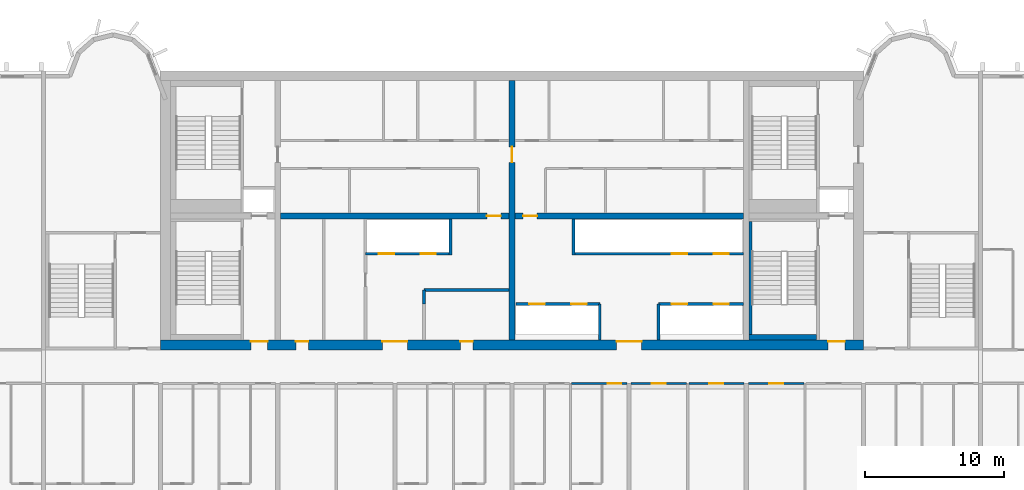
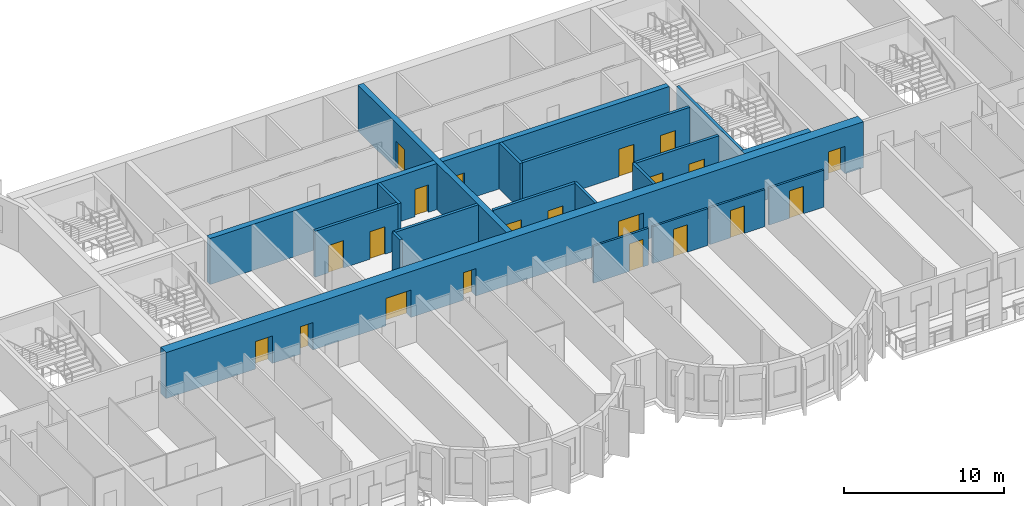
# One storey, part 6 of 13: 21 doors, 20 walls, 21 openings.
"""IFC4 building model written with IfcOpenShell, lengths in metres."""

from ifc_helpers import new_model, si_unit, direction, frame, frame_2d, origin, place, context, subcontext, project, spatial, rectangle, extrude, source, transform, mapped, material, layer, layer_set, type_object, element, fill, save


model = new_model("IFC4")

# Units and contexts
model_context = context("Model", 3, precision=1e-05, world=origin(), true_north=direction((0.0, 1.0)))
body_context = subcontext(model_context, "Body", "Model", "MODEL_VIEW")
ifc_project = project(units=[si_unit("LENGTHUNIT", "METRE"), si_unit("AREAUNIT", "SQUARE_METRE"), si_unit("VOLUMEUNIT", "CUBIC_METRE"), si_unit("PLANEANGLEUNIT", "RADIAN"), si_unit("MASSUNIT", "GRAM", prefix="KILO")], contexts=[model_context])

# Site, building, storey
site_placement = place(None, origin())
site = spatial("IfcSite", under=ifc_project, at=site_placement, CompositionType="ELEMENT")
building_placement = place(site_placement, origin())
building = spatial("IfcBuilding", under=site, at=building_placement, Name="Vanashikhar Sky Hotel", CompositionType="ELEMENT")
storey_placement = place(building_placement, frame((0.0, 0.0, 166.800048828125)))
storey = spatial("IfcBuildingStorey", under=building, at=storey_placement, Name="L40", CompositionType="ELEMENT", Elevation=166.800048828125)

# Wall, opening, door
ifc_material_1 = material(Name="Concrete M60", Category="concrete")
ifc_layer_1 = layer(ifc_material_1, 0.39990234375)
ifc_layer_set_1 = layer_set([ifc_layer_1], Name="RC core inner wall 400 Concrete M60")
wall_type_1 = type_object("IfcWallType", Name="RC core inner wall 400 Concrete M60", PredefinedType="SHEAR", material=ifc_layer_set_1)
shared_shape_1 = source(origin(), body_context, "Body", "SweptSolid", [
    extrude(rectangle(XDim=18.60009765625, YDim=0.39990234375, at=frame_2d((9.300048828125, 0.0))), origin(), (0.0, 0.0, 1.0), 3.52001953125),
])
wall_1_placement = place(storey_placement, frame((50.39990234375, 22.699951171875, 0.0), z_axis=(0.0, 0.0, 1.0), x_axis=(0.0, 1.0, 0.0)))
wall_1 = element("IfcWall", 1, at=wall_1_placement, inside=storey, type_object=wall_type_1, Name="KW-L40-KX2", PredefinedType="SHEAR", context=body_context, shape_type="MappedRepresentation", body=[
    mapped(shared_shape_1, transform((0.0, 0.0, 0.0), scale=1.0)),
])
shared_shape_2 = source(origin(), body_context, "Body", "SweptSolid", [
    extrude(rectangle(XDim=1.10009765625, YDim=2.10009765625, at=frame_2d((0.550048828125, 1.050048828125))), frame((0.0, 0.2099609375, 0.0), z_axis=(0.0, -1.0, 0.0), x_axis=(1.0, 0.0, 0.0)), (0.0, 0.0, 1.0), 0.419921875),
])
opening_1_placement = place(wall_1_placement, frame((12.75, 0.0, 0.0)))
opening_1 = element("IfcOpeningElement", 2, at=opening_1_placement, cuts=wall_1, Name="Opening DC-4-C", PredefinedType="OPENING", context=body_context, shape_type="MappedRepresentation", body=[
    mapped(shared_shape_2, transform((0.0, 0.0, 0.0), scale=1.0)),
])
ifc_material_2 = material(Name="Steel", Category="steel")
door_type_1 = type_object("IfcDoorType", Name="Service door 1100 FD60", OperationType="NOTDEFINED", PredefinedType="DOOR", material=ifc_material_2)
shared_shape_3 = source(origin(), body_context, "Body", "SweptSolid", [
    extrude(rectangle(XDim=1.10009765625, YDim=2.10009765625, at=frame_2d((0.550048828125, 1.050048828125))), frame((0.0, 0.02490234375, 0.0), z_axis=(0.0, -1.0, 0.0), x_axis=(1.0, 0.0, 0.0)), (0.0, 0.0, 1.0), 0.050048828125),
])
door_1_placement = place(opening_1_placement, origin())
door_1 = element("IfcDoor", 3, at=door_1_placement, inside=storey, type_object=door_type_1, Name="Service door 1100 FD60", OperationType="SINGLE_SWING_LEFT", OverallHeight=2.10009765625, OverallWidth=1.10009765625, PredefinedType="DOOR", context=body_context, shape_type="MappedRepresentation", body=[
    mapped(shared_shape_3, transform((0.0, 0.0, 0.0), scale=1.0)),
])
fill(opening_1, door_1)

# Wall, openings, doors
ifc_layer_2 = layer(ifc_material_1, 0.699951171875)
ifc_layer_set_2 = layer_set([ifc_layer_2], Name="RC core shell wall 700 Concrete M60")
wall_type_2 = type_object("IfcWallType", Name="RC core shell wall 700 Concrete M60", PredefinedType="SHEAR", material=ifc_layer_set_2)
shared_shape_4 = source(origin(), body_context, "Body", "SweptSolid", [
    extrude(rectangle(XDim=50.400146484375, YDim=0.699951171875, at=frame_2d((25.2001953125, 0.0))), origin(), (0.0, 0.0, 1.0), 3.52001953125),
])
wall_2_placement = place(storey_placement, frame((25.199951171875, 22.35009765625, 0.0), z_axis=(0.0, 0.0, 1.0), x_axis=(1.0, 0.0, 0.0)))
wall_2 = element("IfcWall", 4, at=wall_2_placement, inside=storey, type_object=wall_type_2, Name="KW-L40-KS", PredefinedType="SHEAR", context=body_context, shape_type="MappedRepresentation", body=[
    mapped(shared_shape_4, transform((0.0, 0.0, 0.0), scale=1.0)),
])
shared_shape_5 = source(origin(), body_context, "Body", "SweptSolid", [
    extrude(rectangle(XDim=1.800048828125, YDim=2.10009765625, at=frame_2d((0.89990234375, 1.050048828125))), frame((0.0, 0.35986328125, 0.0), z_axis=(0.0, -1.0, 0.0), x_axis=(1.0, 0.0, 0.0)), (0.0, 0.0, 1.0), 0.719970703125),
])
opening_2_placement = place(wall_2_placement, frame((15.89990234375, 0.0, 0.0)))
opening_2 = element("IfcOpeningElement", 5, at=opening_2_placement, cuts=wall_2, Name="Opening DC-3-A", PredefinedType="OPENING", context=body_context, shape_type="MappedRepresentation", body=[
    mapped(shared_shape_5, transform((0.0, 0.0, 0.0), scale=1.0)),
])
shared_shape_6 = source(origin(), body_context, "Body", "SweptSolid", [
    extrude(rectangle(XDim=0.89990234375, YDim=2.10009765625, at=frame_2d((0.449951171875, 1.050048828125))), frame((0.0, 0.35986328125, 0.0), z_axis=(0.0, -1.0, 0.0), x_axis=(1.0, 0.0, 0.0)), (0.0, 0.0, 1.0), 0.719970703125),
])
opening_3_placement = place(wall_2_placement, frame((9.699951171875, 0.0, 0.0)))
opening_3 = element("IfcOpeningElement", 6, at=opening_3_placement, cuts=wall_2, Name="Opening DC-4-A", PredefinedType="OPENING", context=body_context, shape_type="MappedRepresentation", body=[
    mapped(shared_shape_6, transform((0.0, 0.0, 0.0), scale=1.0)),
])
opening_4_placement = place(wall_2_placement, frame((21.5, 0.0, 0.0)))
opening_4 = element("IfcOpeningElement", 7, at=opening_4_placement, cuts=wall_2, Name="Opening DC-4-A", PredefinedType="OPENING", context=body_context, shape_type="MappedRepresentation", body=[
    mapped(shared_shape_6, transform((0.0, 0.0, 0.0), scale=1.0)),
])
opening_5_placement = place(wall_2_placement, frame((32.699951171875, 0.0, 0.0)))
opening_5 = element("IfcOpeningElement", 8, at=opening_5_placement, cuts=wall_2, Name="Opening DC-3-A", PredefinedType="OPENING", context=body_context, shape_type="MappedRepresentation", body=[
    mapped(shared_shape_5, transform((0.0, 0.0, 0.0), scale=1.0)),
])
shared_shape_7 = source(origin(), body_context, "Body", "SweptSolid", [
    extrude(rectangle(XDim=1.199951171875, YDim=2.10009765625, at=frame_2d((0.60009765625, 1.050048828125))), frame((0.0, 0.35986328125, 0.0), z_axis=(0.0, -1.0, 0.0), x_axis=(1.0, 0.0, 0.0)), (0.0, 0.0, 1.0), 0.719970703125),
])
opening_6_placement = place(wall_2_placement, frame((6.47509765625, 0.0, 0.0)))
opening_6 = element("IfcOpeningElement", 9, at=opening_6_placement, cuts=wall_2, Name="Opening DC-2", PredefinedType="OPENING", context=body_context, shape_type="MappedRepresentation", body=[
    mapped(shared_shape_7, transform((0.0, 0.0, 0.0), scale=1.0)),
])
opening_7_placement = place(wall_2_placement, frame((47.875, 0.0, 0.0)))
opening_7 = element("IfcOpeningElement", 10, at=opening_7_placement, cuts=wall_2, Name="Opening DC-2", PredefinedType="OPENING", context=body_context, shape_type="MappedRepresentation", body=[
    mapped(shared_shape_7, transform((0.0, 0.0, 0.0), scale=1.0)),
])
ifc_material_3 = material(Name="Glass", Category="glass")
door_type_2 = type_object("IfcDoorType", Name="Lift lobby entrance door 1800 FD30S", OperationType="NOTDEFINED", PredefinedType="DOOR", material=ifc_material_3)
shared_shape_8 = source(origin(), body_context, "Body", "SweptSolid", [
    extrude(rectangle(XDim=1.800048828125, YDim=2.10009765625, at=frame_2d((0.89990234375, 1.050048828125))), frame((0.0, 0.27490234375, 0.0), z_axis=(0.0, -1.0, 0.0), x_axis=(1.0, 0.0, 0.0)), (0.0, 0.0, 1.0), 0.050048828125),
])
door_2_placement = place(opening_2_placement, origin())
door_2 = element("IfcDoor", 11, at=door_2_placement, inside=storey, type_object=door_type_2, Name="Lift lobby entrance door 1800 FD30S", OperationType="DOUBLE_DOOR_SINGLE_SWING", OverallHeight=2.10009765625, OverallWidth=1.800048828125, PredefinedType="DOOR", context=body_context, shape_type="MappedRepresentation", body=[
    mapped(shared_shape_8, transform((0.0, 0.0, 0.0), scale=1.0)),
])
fill(opening_2, door_2)
door_3_placement = place(opening_5_placement, origin())
door_3 = element("IfcDoor", 12, at=door_3_placement, inside=storey, type_object=door_type_2, Name="Lift lobby entrance door 1800 FD30S", OperationType="DOUBLE_DOOR_SINGLE_SWING", OverallHeight=2.10009765625, OverallWidth=1.800048828125, PredefinedType="DOOR", context=body_context, shape_type="MappedRepresentation", body=[
    mapped(shared_shape_8, transform((0.0, 0.0, 0.0), scale=1.0)),
])
fill(opening_5, door_3)
door_type_3 = type_object("IfcDoorType", Name="Firefighting lobby door 1200 FD120", OperationType="NOTDEFINED", PredefinedType="DOOR", material=ifc_material_2)
shared_shape_9 = source(origin(), body_context, "Body", "SweptSolid", [
    extrude(rectangle(XDim=1.199951171875, YDim=2.10009765625, at=frame_2d((0.60009765625, 1.050048828125))), frame((0.0, 0.27490234375, 0.0), z_axis=(0.0, -1.0, 0.0), x_axis=(1.0, 0.0, 0.0)), (0.0, 0.0, 1.0), 0.050048828125),
])
door_4_placement = place(opening_6_placement, origin())
door_4 = element("IfcDoor", 13, at=door_4_placement, inside=storey, type_object=door_type_3, Name="Firefighting lobby door 1200 FD120", OperationType="SINGLE_SWING_LEFT", OverallHeight=2.10009765625, OverallWidth=1.199951171875, PredefinedType="DOOR", context=body_context, shape_type="MappedRepresentation", body=[
    mapped(shared_shape_9, transform((0.0, 0.0, 0.0), scale=1.0)),
])
fill(opening_6, door_4)
door_5_placement = place(opening_7_placement, origin())
door_5 = element("IfcDoor", 14, at=door_5_placement, inside=storey, type_object=door_type_3, Name="Firefighting lobby door 1200 FD120", OperationType="SINGLE_SWING_LEFT", OverallHeight=2.10009765625, OverallWidth=1.199951171875, PredefinedType="DOOR", context=body_context, shape_type="MappedRepresentation", body=[
    mapped(shared_shape_9, transform((0.0, 0.0, 0.0), scale=1.0)),
])
fill(opening_7, door_5)
door_type_4 = type_object("IfcDoorType", Name="Service door 900 FD60", OperationType="NOTDEFINED", PredefinedType="DOOR", material=ifc_material_2)
shared_shape_10 = source(origin(), body_context, "Body", "SweptSolid", [
    extrude(rectangle(XDim=0.89990234375, YDim=2.10009765625, at=frame_2d((0.449951171875, 1.050048828125))), frame((0.0, 0.27490234375, 0.0), z_axis=(0.0, -1.0, 0.0), x_axis=(1.0, 0.0, 0.0)), (0.0, 0.0, 1.0), 0.050048828125),
])
door_6_placement = place(opening_3_placement, origin())
door_6 = element("IfcDoor", 15, at=door_6_placement, inside=storey, type_object=door_type_4, Name="Service door 900 FD60", OperationType="SINGLE_SWING_LEFT", OverallHeight=2.10009765625, OverallWidth=0.89990234375, PredefinedType="DOOR", context=body_context, shape_type="MappedRepresentation", body=[
    mapped(shared_shape_10, transform((0.0, 0.0, 0.0), scale=1.0)),
])
fill(opening_3, door_6)
door_7_placement = place(opening_4_placement, origin())
door_7 = element("IfcDoor", 16, at=door_7_placement, inside=storey, type_object=door_type_4, Name="Service door 900 FD60", OperationType="SINGLE_SWING_LEFT", OverallHeight=2.10009765625, OverallWidth=0.89990234375, PredefinedType="DOOR", context=body_context, shape_type="MappedRepresentation", body=[
    mapped(shared_shape_10, transform((0.0, 0.0, 0.0), scale=1.0)),
])
fill(opening_4, door_7)

# Wall, opening, door
shared_shape_11 = source(origin(), body_context, "Body", "SweptSolid", [
    extrude(rectangle(XDim=16.39990234375, YDim=0.39990234375, at=frame_2d((8.199951171875, 0.0))), origin(), (0.0, 0.0, 1.0), 3.52001953125),
])
wall_3_placement = place(storey_placement, frame((33.800048828125, 31.60009765625, 0.0), z_axis=(0.0, 0.0, 1.0), x_axis=(1.0, 0.0, 0.0)))
wall_3 = element("IfcWall", 17, at=wall_3_placement, inside=storey, type_object=wall_type_1, Name="KW-L40-KY2", PredefinedType="SHEAR", context=body_context, shape_type="MappedRepresentation", body=[
    mapped(shared_shape_11, transform((0.0, 0.0, 0.0), scale=1.0)),
])
shared_shape_12 = source(origin(), body_context, "Body", "SweptSolid", [
    extrude(rectangle(XDim=1.0, YDim=2.10009765625, at=frame_2d((0.5, 1.050048828125))), frame((0.0, 0.2099609375, 0.0), z_axis=(0.0, -1.0, 0.0), x_axis=(1.0, 0.0, 0.0)), (0.0, 0.0, 1.0), 0.419921875),
])
opening_8_placement = place(wall_3_placement, frame((14.800048828125, 0.0, 0.0)))
opening_8 = element("IfcOpeningElement", 18, at=opening_8_placement, cuts=wall_3, Name="Opening DC-4", PredefinedType="OPENING", context=body_context, shape_type="MappedRepresentation", body=[
    mapped(shared_shape_12, transform((0.0, 0.0, 0.0), scale=1.0)),
])
door_type_5 = type_object("IfcDoorType", Name="Service door 1000 FD60", OperationType="NOTDEFINED", PredefinedType="DOOR", material=ifc_material_2)
shared_shape_13 = source(origin(), body_context, "Body", "SweptSolid", [
    extrude(rectangle(XDim=1.0, YDim=2.10009765625, at=frame_2d((0.5, 1.050048828125))), frame((0.0, 0.02490234375, 0.0), z_axis=(0.0, -1.0, 0.0), x_axis=(1.0, 0.0, 0.0)), (0.0, 0.0, 1.0), 0.050048828125),
])
door_8_placement = place(opening_8_placement, origin())
door_8 = element("IfcDoor", 19, at=door_8_placement, inside=storey, type_object=door_type_5, Name="Service door 1000 FD60", OperationType="SINGLE_SWING_LEFT", OverallHeight=2.10009765625, OverallWidth=1.0, PredefinedType="DOOR", context=body_context, shape_type="MappedRepresentation", body=[
    mapped(shared_shape_13, transform((0.0, 0.0, 0.0), scale=1.0)),
])
fill(opening_8, door_8)

wall_4_placement = place(storey_placement, frame((50.60009765625, 31.60009765625, 0.0), z_axis=(0.0, 0.0, 1.0), x_axis=(1.0, 0.0, 0.0)))
wall_4 = element("IfcWall", 20, at=wall_4_placement, inside=storey, type_object=wall_type_1, Name="KW-L40-KY3", PredefinedType="SHEAR", context=body_context, shape_type="MappedRepresentation", body=[
    mapped(shared_shape_11, transform((0.0, 0.0, 0.0), scale=1.0)),
])
opening_9_placement = place(wall_4_placement, frame((0.60009765625, 0.0, 0.0)))
opening_9 = element("IfcOpeningElement", 21, at=opening_9_placement, cuts=wall_4, Name="Opening DC-4", PredefinedType="OPENING", context=body_context, shape_type="MappedRepresentation", body=[
    mapped(shared_shape_12, transform((0.0, 0.0, 0.0), scale=1.0)),
])
door_9_placement = place(opening_9_placement, origin())
door_9 = element("IfcDoor", 22, at=door_9_placement, inside=storey, type_object=door_type_5, Name="Service door 1000 FD60", OperationType="SINGLE_SWING_RIGHT", OverallHeight=2.10009765625, OverallWidth=1.0, PredefinedType="DOOR", context=body_context, shape_type="MappedRepresentation", body=[
    mapped(shared_shape_13, transform((0.0, 0.0, 0.0), scale=1.0)),
])
fill(opening_9, door_9)

# Wall, openings, doors
ifc_material_4 = material(Name="Concrete M40", Category="concrete")
ifc_layer_3 = layer(ifc_material_4, 0.199951171875)
ifc_layer_set_3 = layer_set([ifc_layer_3], Name="Shaft wall 200")
wall_type_3 = type_object("IfcWallType", Name="Shaft wall 200", PredefinedType="SOLIDWALL", material=ifc_layer_set_3)
shared_shape_14 = source(origin(), body_context, "Body", "SweptSolid", [
    extrude(rectangle(XDim=6.0, YDim=0.199951171875, at=frame_2d((3.0, 0.0))), origin(), (0.0, 0.0, 1.0), 3.52001953125),
])
wall_5_placement = place(storey_placement, frame((39.89990234375, 28.89990234375, 0.0), z_axis=(0.0, 0.0, 1.0), x_axis=(1.0, 0.0, 0.0)))
wall_5 = element("IfcWall", 23, at=wall_5_placement, inside=storey, type_object=wall_type_3, Name="Shaft wall 200", PredefinedType="SOLIDWALL", context=body_context, shape_type="MappedRepresentation", body=[
    mapped(shared_shape_14, transform((0.0, 0.0, 0.0), scale=1.0)),
])
shared_shape_15 = source(origin(), body_context, "Body", "SweptSolid", [
    extrude(rectangle(XDim=1.10009765625, YDim=2.10009765625, at=frame_2d((0.550048828125, 1.050048828125))), frame((0.0, 0.10986328125, 0.0), z_axis=(0.0, -1.0, 0.0), x_axis=(1.0, 0.0, 0.0)), (0.0, 0.0, 1.0), 0.219970703125),
])
opening_10_placement = place(wall_5_placement, frame((0.949951171875, 0.0, 0.0)))
opening_10 = element("IfcOpeningElement", 24, at=opening_10_placement, cuts=wall_5, Name="Opening LD", PredefinedType="OPENING", context=body_context, shape_type="MappedRepresentation", body=[
    mapped(shared_shape_15, transform((0.0, 0.0, 0.0), scale=1.0)),
])
opening_11_placement = place(wall_5_placement, frame((3.949951171875, 0.0, 0.0)))
opening_11 = element("IfcOpeningElement", 25, at=opening_11_placement, cuts=wall_5, Name="Opening LD", PredefinedType="OPENING", context=body_context, shape_type="MappedRepresentation", body=[
    mapped(shared_shape_15, transform((0.0, 0.0, 0.0), scale=1.0)),
])
ifc_material_5 = material(Name="Stainless steel", Category="steel")
door_type_6 = type_object("IfcDoorType", Name="Lift landing door 1100", OperationType="NOTDEFINED", PredefinedType="DOOR", material=ifc_material_5)
door_10_placement = place(opening_10_placement, origin())
door_10 = element("IfcDoor", 26, at=door_10_placement, inside=storey, type_object=door_type_6, Name="Lift landing door 1100", OperationType="SLIDING_TO_LEFT", OverallHeight=2.10009765625, OverallWidth=1.10009765625, PredefinedType="DOOR", context=body_context, shape_type="MappedRepresentation", body=[
    mapped(shared_shape_3, transform((0.0, 0.0, 0.0), scale=1.0)),
])
fill(opening_10, door_10)
door_11_placement = place(opening_11_placement, origin())
door_11 = element("IfcDoor", 27, at=door_11_placement, inside=storey, type_object=door_type_6, Name="Lift landing door 1100", OperationType="SLIDING_TO_RIGHT", OverallHeight=2.10009765625, OverallWidth=1.10009765625, PredefinedType="DOOR", context=body_context, shape_type="MappedRepresentation", body=[
    mapped(shared_shape_3, transform((0.0, 0.0, 0.0), scale=1.0)),
])
fill(opening_11, door_11)

wall_6_placement = place(storey_placement, frame((56.699951171875, 25.300048828125, 0.0), z_axis=(0.0, 0.0, 1.0), x_axis=(-1.0, 0.0, 0.0)))
wall_6 = element("IfcWall", 28, at=wall_6_placement, inside=storey, type_object=wall_type_3, Name="Shaft wall 200", PredefinedType="SOLIDWALL", context=body_context, shape_type="MappedRepresentation", body=[
    mapped(shared_shape_14, transform((0.0, 0.0, 0.0), scale=1.0)),
])
opening_12_placement = place(wall_6_placement, frame((0.949951171875, 0.0, 0.0)))
opening_12 = element("IfcOpeningElement", 29, at=opening_12_placement, cuts=wall_6, Name="Opening LD", PredefinedType="OPENING", context=body_context, shape_type="MappedRepresentation", body=[
    mapped(shared_shape_15, transform((0.0, 0.0, 0.0), scale=1.0)),
])
opening_13_placement = place(wall_6_placement, frame((3.949951171875, 0.0, 0.0)))
opening_13 = element("IfcOpeningElement", 30, at=opening_13_placement, cuts=wall_6, Name="Opening LD", PredefinedType="OPENING", context=body_context, shape_type="MappedRepresentation", body=[
    mapped(shared_shape_15, transform((0.0, 0.0, 0.0), scale=1.0)),
])
door_12_placement = place(opening_12_placement, origin())
door_12 = element("IfcDoor", 31, at=door_12_placement, inside=storey, type_object=door_type_6, Name="Lift landing door 1100", OperationType="SLIDING_TO_RIGHT", OverallHeight=2.10009765625, OverallWidth=1.10009765625, PredefinedType="DOOR", context=body_context, shape_type="MappedRepresentation", body=[
    mapped(shared_shape_3, transform((0.0, 0.0, 0.0), scale=1.0)),
])
fill(opening_12, door_12)
door_13_placement = place(opening_13_placement, origin())
door_13 = element("IfcDoor", 32, at=door_13_placement, inside=storey, type_object=door_type_6, Name="Lift landing door 1100", OperationType="SLIDING_TO_LEFT", OverallHeight=2.10009765625, OverallWidth=1.10009765625, PredefinedType="DOOR", context=body_context, shape_type="MappedRepresentation", body=[
    mapped(shared_shape_3, transform((0.0, 0.0, 0.0), scale=1.0)),
])
fill(opening_13, door_13)

# Walls
ifc_material_6 = material(Name="Concrete M50", Category="concrete")
ifc_layer_4 = layer(ifc_material_6, 0.199951171875)
ifc_layer_set_4 = layer_set([ifc_layer_4], Name="Stair infill wall 200")
wall_type_4 = type_object("IfcWallType", Name="Stair infill wall 200", PredefinedType="SOLIDWALL", material=ifc_layer_set_4)
shared_shape_16 = source(origin(), body_context, "Body", "SweptSolid", [
    extrude(rectangle(XDim=8.099853515625, YDim=0.199951171875, at=frame_2d((4.0498046875, 0.0))), origin(), (0.0, 0.0, 1.0), 3.52001953125),
])
wall_7_placement = place(storey_placement, frame((67.5, 23.10009765625, 0.0), z_axis=(0.0, 0.0, 1.0), x_axis=(0.0, 1.0, 0.0)))
element("IfcWall", 33, at=wall_7_placement, inside=storey, type_object=wall_type_4, Name="Stair infill wall 200", PredefinedType="SOLIDWALL", context=body_context, shape_type="MappedRepresentation", body=[
    mapped(shared_shape_16, transform((0.0, 0.0, 0.0), scale=1.0)),
])
shared_shape_17 = source(origin(), body_context, "Body", "SweptSolid", [
    extrude(rectangle(XDim=2.60009765625, YDim=0.199951171875, at=frame_2d((1.300048828125, 0.0))), origin(), (0.0, 0.0, 1.0), 3.52001953125),
])
for number, where, z_axis, x_axis, name in (
    (34, (60.89990234375, 22.699951171875, 0.0), (0.0, 0.0, 1.0), (0.0, 1.0, 0.0), "Shaft wall 200"),
    (35, (56.699951171875, 22.699951171875, 0.0), (0.0, 0.0, 1.0), (0.0, 1.0, 0.0), "Shaft wall 200"),
):
    element("IfcWall", number, at=place(storey_placement, frame(where, z_axis=z_axis, x_axis=x_axis)), inside=storey, type_object=wall_type_3, Name=name, PredefinedType="SOLIDWALL", context=body_context, shape_type="MappedRepresentation", body=[
        mapped(shared_shape_17, transform((0.0, 0.0, 0.0), scale=1.0)),
    ])
shared_shape_18 = source(origin(), body_context, "Body", "SweptSolid", [
    extrude(rectangle(XDim=2.599853515625, YDim=0.199951171875, at=frame_2d((1.2998046875, 0.0))), origin(), (0.0, 0.0, 1.0), 3.52001953125),
])
for number, where, z_axis, x_axis, name in (
    (36, (46.0, 28.800048828125, 0.0), (0.0, 0.0, 1.0), (0.0, 1.0, 0.0), "Shaft wall 200"),
    (37, (54.800048828125, 28.800048828125, 0.0), (0.0, 0.0, 1.0), (0.0, 1.0, 0.0), "Shaft wall 200"),
):
    element("IfcWall", number, at=place(storey_placement, frame(where, z_axis=z_axis, x_axis=x_axis)), inside=storey, type_object=wall_type_3, Name=name, PredefinedType="SOLIDWALL", context=body_context, shape_type="MappedRepresentation", body=[
        mapped(shared_shape_18, transform((0.0, 0.0, 0.0), scale=1.0)),
    ])
ifc_material_7 = material(Name="Gypsum board partition")
ifc_layer_5 = layer(ifc_material_7, 0.14990234375)
ifc_layer_set_5 = layer_set([ifc_layer_5], Name="Service partition 150")
wall_type_5 = type_object("IfcWallType", Name="Service partition 150", PredefinedType="PARTITIONING", material=ifc_layer_set_5)
shared_shape_19 = source(origin(), body_context, "Body", "SweptSolid", [
    extrude(rectangle(XDim=6.099853515625, YDim=0.199951171875, at=frame_2d((3.0498046875, 0.0))), origin(), (0.0, 0.0, 1.0), 3.52001953125),
])
wall_8_placement = place(storey_placement, frame((44.10009765625, 26.300048828125, 0.0), z_axis=(0.0, 0.0, 1.0), x_axis=(1.0, 0.0, 0.0)))
element("IfcWall", 38, at=wall_8_placement, inside=storey, type_object=wall_type_5, Name="Service partition 150", PredefinedType="PARTITIONING", context=body_context, shape_type="MappedRepresentation", body=[
    mapped(shared_shape_19, transform((0.0, 0.0, 0.0), scale=1.0)),
])
shared_shape_20 = source(origin(), body_context, "Body", "SweptSolid", [
    extrude(rectangle(XDim=1.0, YDim=0.199951171875, at=frame_2d((0.5, 0.0))), origin(), (0.0, 0.0, 1.0), 3.52001953125),
])
wall_9_placement = place(storey_placement, frame((44.10009765625, 25.300048828125, 0.0), z_axis=(0.0, 0.0, 1.0), x_axis=(0.0, 1.0, 0.0)))
element("IfcWall", 39, at=wall_9_placement, inside=storey, type_object=wall_type_5, Name="Service partition 150", PredefinedType="PARTITIONING", context=body_context, shape_type="MappedRepresentation", body=[
    mapped(shared_shape_20, transform((0.0, 0.0, 0.0), scale=1.0)),
])

# Wall, openings, doors
shared_shape_21 = source(origin(), body_context, "Body", "SweptSolid", [
    extrude(rectangle(XDim=6.10009765625, YDim=0.199951171875, at=frame_2d((3.050048828125, 0.0))), origin(), (0.0, 0.0, 1.0), 3.52001953125),
])
wall_10_placement = place(storey_placement, frame((67.0, 25.300048828125, 0.0), z_axis=(0.0, 0.0, 1.0), x_axis=(-1.0, 0.0, 0.0)))
wall_10 = element("IfcWall", 40, at=wall_10_placement, inside=storey, type_object=wall_type_3, Name="Shaft wall 200", PredefinedType="SOLIDWALL", context=body_context, shape_type="MappedRepresentation", body=[
    mapped(shared_shape_21, transform((0.0, 0.0, 0.0), scale=1.0)),
])
opening_14_placement = place(wall_10_placement, frame((1.050048828125, 0.0, 0.0)))
opening_14 = element("IfcOpeningElement", 41, at=opening_14_placement, cuts=wall_10, Name="Opening LD", PredefinedType="OPENING", context=body_context, shape_type="MappedRepresentation", body=[
    mapped(shared_shape_15, transform((0.0, 0.0, 0.0), scale=1.0)),
])
opening_15_placement = place(wall_10_placement, frame((4.050048828125, 0.0, 0.0)))
opening_15 = element("IfcOpeningElement", 42, at=opening_15_placement, cuts=wall_10, Name="Opening LD", PredefinedType="OPENING", context=body_context, shape_type="MappedRepresentation", body=[
    mapped(shared_shape_15, transform((0.0, 0.0, 0.0), scale=1.0)),
])
door_14_placement = place(opening_14_placement, origin())
door_14 = element("IfcDoor", 43, at=door_14_placement, inside=storey, type_object=door_type_6, Name="Lift landing door 1100", OperationType="SLIDING_TO_RIGHT", OverallHeight=2.10009765625, OverallWidth=1.10009765625, PredefinedType="DOOR", context=body_context, shape_type="MappedRepresentation", body=[
    mapped(shared_shape_3, transform((0.0, 0.0, 0.0), scale=1.0)),
])
fill(opening_14, door_14)
door_15_placement = place(opening_15_placement, origin())
door_15 = element("IfcDoor", 44, at=door_15_placement, inside=storey, type_object=door_type_6, Name="Lift landing door 1100", OperationType="SLIDING_TO_LEFT", OverallHeight=2.10009765625, OverallWidth=1.10009765625, PredefinedType="DOOR", context=body_context, shape_type="MappedRepresentation", body=[
    mapped(shared_shape_3, transform((0.0, 0.0, 0.0), scale=1.0)),
])
fill(opening_15, door_15)

shared_shape_22 = source(origin(), body_context, "Body", "SweptSolid", [
    extrude(rectangle(XDim=12.10009765625, YDim=0.199951171875, at=frame_2d((6.050048828125, 0.0))), origin(), (0.0, 0.0, 1.0), 3.52001953125),
])
wall_11_placement = place(storey_placement, frame((67.0, 28.89990234375, 0.0), z_axis=(0.0, 0.0, 1.0), x_axis=(-1.0, 0.0, 0.0)))
wall_11 = element("IfcWall", 45, at=wall_11_placement, inside=storey, type_object=wall_type_3, Name="Shaft wall 200", PredefinedType="SOLIDWALL", context=body_context, shape_type="MappedRepresentation", body=[
    mapped(shared_shape_22, transform((0.0, 0.0, 0.0), scale=1.0)),
])
opening_16_placement = place(wall_11_placement, frame((1.050048828125, 0.0, 0.0)))
opening_16 = element("IfcOpeningElement", 46, at=opening_16_placement, cuts=wall_11, Name="Opening LD", PredefinedType="OPENING", context=body_context, shape_type="MappedRepresentation", body=[
    mapped(shared_shape_15, transform((0.0, 0.0, 0.0), scale=1.0)),
])
opening_17_placement = place(wall_11_placement, frame((4.050048828125, 0.0, 0.0)))
opening_17 = element("IfcOpeningElement", 47, at=opening_17_placement, cuts=wall_11, Name="Opening LD", PredefinedType="OPENING", context=body_context, shape_type="MappedRepresentation", body=[
    mapped(shared_shape_15, transform((0.0, 0.0, 0.0), scale=1.0)),
])
door_16_placement = place(opening_16_placement, origin())
door_16 = element("IfcDoor", 48, at=door_16_placement, inside=storey, type_object=door_type_6, Name="Lift landing door 1100", OperationType="SLIDING_TO_RIGHT", OverallHeight=2.10009765625, OverallWidth=1.10009765625, PredefinedType="DOOR", context=body_context, shape_type="MappedRepresentation", body=[
    mapped(shared_shape_3, transform((0.0, 0.0, 0.0), scale=1.0)),
])
fill(opening_16, door_16)
door_17_placement = place(opening_17_placement, origin())
door_17 = element("IfcDoor", 49, at=door_17_placement, inside=storey, type_object=door_type_6, Name="Lift landing door 1100", OperationType="SLIDING_TO_LEFT", OverallHeight=2.10009765625, OverallWidth=1.10009765625, PredefinedType="DOOR", context=body_context, shape_type="MappedRepresentation", body=[
    mapped(shared_shape_3, transform((0.0, 0.0, 0.0), scale=1.0)),
])
fill(opening_17, door_17)

# Wall
ifc_layer_6 = layer(ifc_material_6, 0.39990234375)
ifc_layer_set_6 = layer_set([ifc_layer_6], Name="Stair infill wall 400")
wall_type_6 = type_object("IfcWallType", Name="Stair infill wall 400", PredefinedType="SOLIDWALL", material=ifc_layer_set_6)
shared_shape_23 = source(origin(), body_context, "Body", "SweptSolid", [
    extrude(rectangle(XDim=4.85009765625, YDim=0.39990234375, at=frame_2d((2.425048828125, 0.0))), origin(), (0.0, 0.0, 1.0), 3.52001953125),
])
wall_12_placement = place(storey_placement, frame((67.39990234375, 22.89990234375, 0.0), z_axis=(0.0, 0.0, 1.0), x_axis=(1.0, 0.0, 0.0)))
element("IfcWall", 50, at=wall_12_placement, inside=storey, type_object=wall_type_6, Name="Stair infill wall 400", PredefinedType="SOLIDWALL", context=body_context, shape_type="MappedRepresentation", body=[
    mapped(shared_shape_23, transform((0.0, 0.0, 0.0), scale=1.0)),
])

# Wall, opening, door
ifc_material_8 = material(Name="Gypsum plasterboard partition")
ifc_layer_7 = layer(ifc_material_8, 0.14990234375)
ifc_layer_set_7 = layer_set([ifc_layer_7], Name="Corridor and demising partition 150")
wall_type_7 = type_object("IfcWallType", Name="Corridor and demising partition 150", PredefinedType="PARTITIONING", material=ifc_layer_set_7)
shared_shape_24 = source(origin(), body_context, "Body", "SweptSolid", [
    extrude(rectangle(XDim=3.974853515625, YDim=0.14990234375, at=frame_2d((1.9873046875, 0.0))), origin(), (0.0, 0.0, 1.0), 2.820068359375),
])
wall_13_placement = place(storey_placement, frame((54.675048828125, 19.60009765625, 0.0), z_axis=(0.0, 0.0, 1.0), x_axis=(1.0, 0.0, 0.0)))
wall_13 = element("IfcWall", 51, at=wall_13_placement, inside=storey, type_object=wall_type_7, Name="W-L40-PW036", PredefinedType="PARTITIONING", context=body_context, shape_type="MappedRepresentation", body=[
    mapped(shared_shape_24, transform((0.0, 0.0, 0.0), scale=1.0)),
])
shared_shape_25 = source(origin(), body_context, "Body", "SweptSolid", [
    extrude(rectangle(XDim=1.0, YDim=2.10009765625, at=frame_2d((0.5, 1.050048828125))), frame((0.0, 0.0849609375, 0.0), z_axis=(0.0, -1.0, 0.0), x_axis=(1.0, 0.0, 0.0)), (0.0, 0.0, 1.0), 0.169921875),
])
opening_18_placement = place(wall_13_placement, frame((2.574951171875, 0.0, 0.0)))
opening_18 = element("IfcOpeningElement", 52, at=opening_18_placement, cuts=wall_13, Name="Opening D-01", PredefinedType="OPENING", context=body_context, shape_type="MappedRepresentation", body=[
    mapped(shared_shape_25, transform((0.0, 0.0, 0.0), scale=1.0)),
])
ifc_material_9 = material(Name="Timber fire door", Category="wood")
door_type_7 = type_object("IfcDoorType", Name="Guest entry door 1000 FD30S", OperationType="NOTDEFINED", PredefinedType="DOOR", material=ifc_material_9)
door_18_placement = place(opening_18_placement, origin())
door_18 = element("IfcDoor", 53, at=door_18_placement, inside=storey, type_object=door_type_7, Name="D-L40-022", OperationType="SINGLE_SWING_RIGHT", OverallHeight=2.10009765625, OverallWidth=1.0, PredefinedType="DOOR", context=body_context, shape_type="MappedRepresentation", body=[
    mapped(shared_shape_13, transform((0.0, 0.0, 0.0), scale=1.0)),
])
fill(opening_18, door_18)

wall_14_placement = place(storey_placement, frame((67.35009765625, 19.60009765625, 0.0), z_axis=(0.0, 0.0, 1.0), x_axis=(1.0, 0.0, 0.0)))
wall_14 = element("IfcWall", 54, at=wall_14_placement, inside=storey, type_object=wall_type_7, Name="W-L40-PW041", PredefinedType="PARTITIONING", context=body_context, shape_type="MappedRepresentation", body=[
    mapped(shared_shape_24, transform((0.0, 0.0, 0.0), scale=1.0)),
])
opening_19_placement = place(wall_14_placement, frame((1.488037109375, 0.0, 0.0)))
opening_19 = element("IfcOpeningElement", 55, at=opening_19_placement, cuts=wall_14, Name="Opening D-01", PredefinedType="OPENING", context=body_context, shape_type="MappedRepresentation", body=[
    mapped(shared_shape_25, transform((0.0, 0.0, 0.0), scale=1.0)),
])
door_19_placement = place(opening_19_placement, origin())
door_19 = element("IfcDoor", 56, at=door_19_placement, inside=storey, type_object=door_type_7, Name="D-L40-025", OperationType="SINGLE_SWING_LEFT", OverallHeight=2.10009765625, OverallWidth=1.0, PredefinedType="DOOR", context=body_context, shape_type="MappedRepresentation", body=[
    mapped(shared_shape_13, transform((0.0, 0.0, 0.0), scale=1.0)),
])
fill(opening_19, door_19)

shared_shape_26 = source(origin(), body_context, "Body", "SweptSolid", [
    extrude(rectangle(XDim=3.97509765625, YDim=0.14990234375, at=frame_2d((1.987548828125, 0.0))), origin(), (0.0, 0.0, 1.0), 2.820068359375),
])
wall_15_placement = place(storey_placement, frame((58.949951171875, 19.60009765625, 0.0), z_axis=(0.0, 0.0, 1.0), x_axis=(1.0, 0.0, 0.0)))
wall_15 = element("IfcWall", 57, at=wall_15_placement, inside=storey, type_object=wall_type_7, Name="W-L40-PW038", PredefinedType="PARTITIONING", context=body_context, shape_type="MappedRepresentation", body=[
    mapped(shared_shape_26, transform((0.0, 0.0, 0.0), scale=1.0)),
])
opening_20_placement = place(wall_15_placement, frame((1.487060546875, 0.0, 0.0)))
opening_20 = element("IfcOpeningElement", 58, at=opening_20_placement, cuts=wall_15, Name="Opening D-01", PredefinedType="OPENING", context=body_context, shape_type="MappedRepresentation", body=[
    mapped(shared_shape_25, transform((0.0, 0.0, 0.0), scale=1.0)),
])
door_20_placement = place(opening_20_placement, origin())
door_20 = element("IfcDoor", 59, at=door_20_placement, inside=storey, type_object=door_type_7, Name="D-L40-023", OperationType="SINGLE_SWING_LEFT", OverallHeight=2.10009765625, OverallWidth=1.0, PredefinedType="DOOR", context=body_context, shape_type="MappedRepresentation", body=[
    mapped(shared_shape_13, transform((0.0, 0.0, 0.0), scale=1.0)),
])
fill(opening_20, door_20)

wall_16_placement = place(storey_placement, frame((63.074951171875, 19.60009765625, 0.0), z_axis=(0.0, 0.0, 1.0), x_axis=(1.0, 0.0, 0.0)))
wall_16 = element("IfcWall", 60, at=wall_16_placement, inside=storey, type_object=wall_type_7, Name="W-L40-PW039", PredefinedType="PARTITIONING", context=body_context, shape_type="MappedRepresentation", body=[
    mapped(shared_shape_26, transform((0.0, 0.0, 0.0), scale=1.0)),
])
opening_21_placement = place(wall_16_placement, frame((1.487060546875, 0.0, 0.0)))
opening_21 = element("IfcOpeningElement", 61, at=opening_21_placement, cuts=wall_16, Name="Opening D-01", PredefinedType="OPENING", context=body_context, shape_type="MappedRepresentation", body=[
    mapped(shared_shape_25, transform((0.0, 0.0, 0.0), scale=1.0)),
])
door_21_placement = place(opening_21_placement, origin())
door_21 = element("IfcDoor", 62, at=door_21_placement, inside=storey, type_object=door_type_7, Name="D-L40-024", OperationType="SINGLE_SWING_RIGHT", OverallHeight=2.10009765625, OverallWidth=1.0, PredefinedType="DOOR", context=body_context, shape_type="MappedRepresentation", body=[
    mapped(shared_shape_13, transform((0.0, 0.0, 0.0), scale=1.0)),
])
fill(opening_21, door_21)

save(model, "model.ifc")
